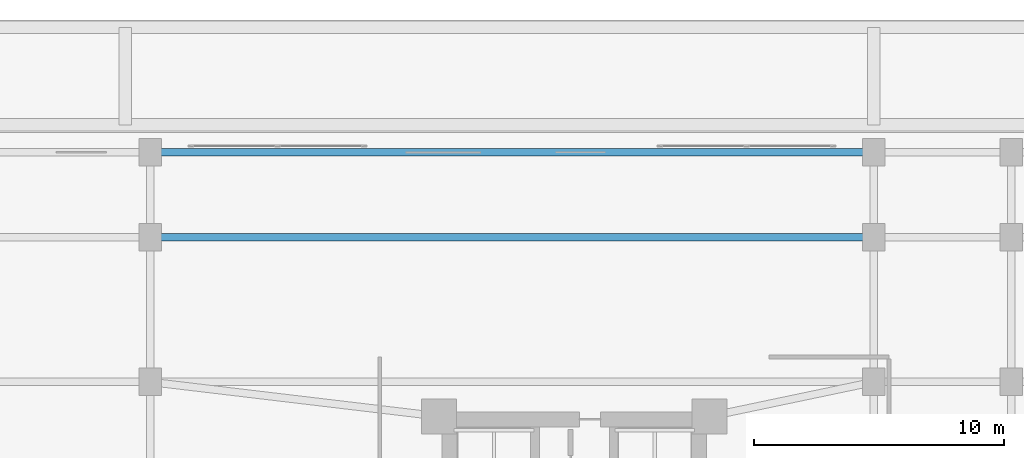
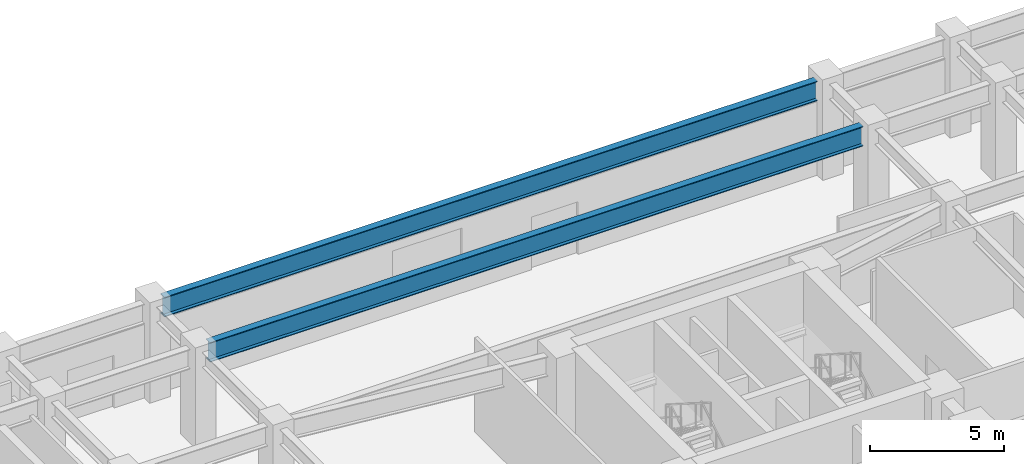
# One storey, part 10 of 23: 2 beams.
"""IFC4 building model written with IfcOpenShell, lengths in metres."""

from ifc_helpers import new_model, si_unit, direction, frame, origin, origin_2d, place, context, subcontext, project, spatial, i_section, extrude, material, material_profile, profile_set, type_object, element, save


model = new_model("IFC4")

# Units and contexts
model_context = context("Model", 3, precision=1e-05, world=origin(), true_north=direction((0.0, 1.0)))
body_context = subcontext(model_context, "Body", "Model", "MODEL_VIEW")
ifc_project = project(units=[si_unit("LENGTHUNIT", "METRE"), si_unit("AREAUNIT", "SQUARE_METRE"), si_unit("VOLUMEUNIT", "CUBIC_METRE"), si_unit("PLANEANGLEUNIT", "RADIAN"), si_unit("MASSUNIT", "GRAM", prefix="KILO")], contexts=[model_context])

# Site, building, storey
site_placement = place(None, origin())
site = spatial("IfcSite", under=ifc_project, at=site_placement, CompositionType="ELEMENT")
building_placement = place(site_placement, origin())
building = spatial("IfcBuilding", under=site, at=building_placement, Name="Varnakorn Sky Granary", CompositionType="ELEMENT")
storey_placement = place(building_placement, origin())
storey = spatial("IfcBuildingStorey", under=building, at=storey_placement, Name="L00", CompositionType="ELEMENT", Elevation=0.0)

# Beams
ifc_material = material(Name="Steel S355JR", Category="steel")
ifc_material_profile = material_profile(ifc_material, i_section(OverallWidth=0.300048828125, OverallDepth=0.89990234375, WebThickness=0.0185546875, FlangeThickness=0.034912109375, at=origin_2d()), Name="HE 900 B")
ifc_profile_set = profile_set([ifc_material_profile], Name="Steel S355JR")
beam_type = type_object("IfcBeamType", Name="BM-PG-900", PredefinedType="BEAM", material=ifc_profile_set)
for number, where, z_axis, x_axis, name in (
    (1, (-13.580078125, 19.800048828125, 3.830078125), (1.0, 0.0, 0.0), (0.0, 1.0, 0.0), "Podium X-Girder GX29 L00"),
    (2, (-13.580078125, 23.199951171875, 3.830078125), (1.0, 0.0, 0.0), (0.0, 1.0, 0.0), "Podium X-Girder GX36 L00"),
):
    element("IfcBeam", number, at=place(storey_placement, frame(where, z_axis=z_axis, x_axis=x_axis)), inside=storey, type_object=beam_type, Name=name, PredefinedType="BEAM", context=body_context, shape_type="SweptSolid", body=[
        extrude(i_section(OverallWidth=0.300048828125, OverallDepth=0.89990234375, WebThickness=0.0185546875, FlangeThickness=0.034912109375, at=origin_2d()), origin(), (0.0, 0.0, 1.0), 28.16015625),
    ])

save(model, "model.ifc")
